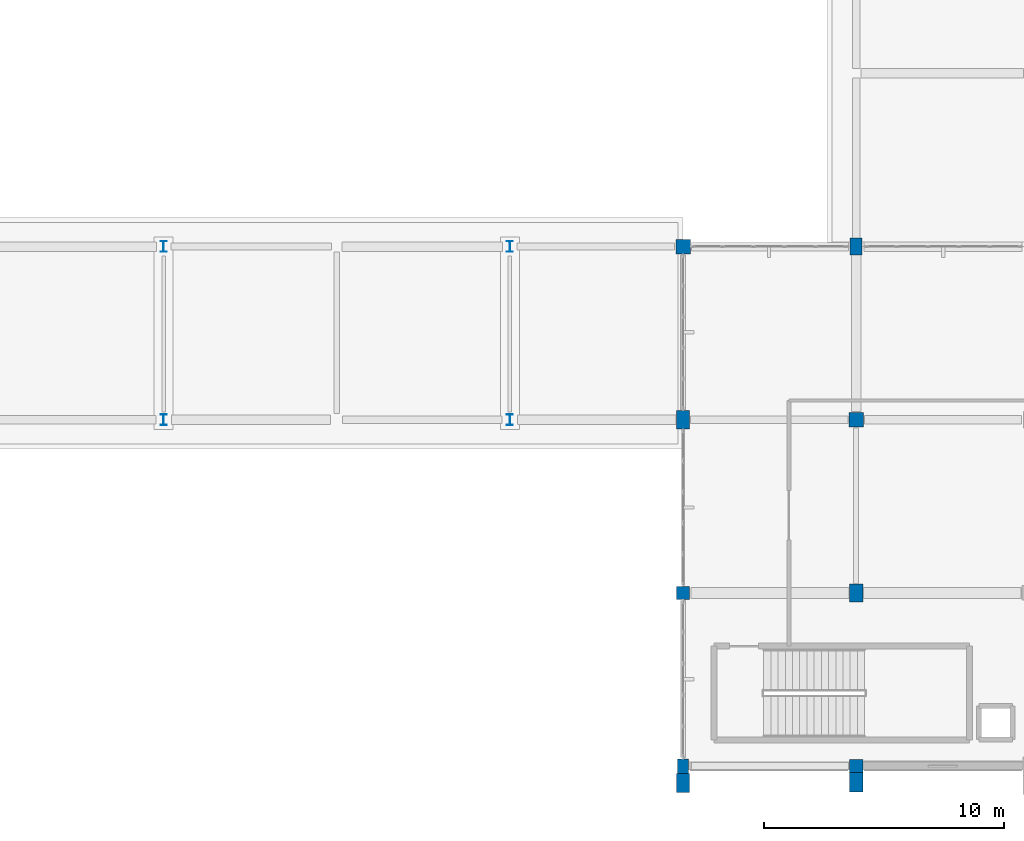
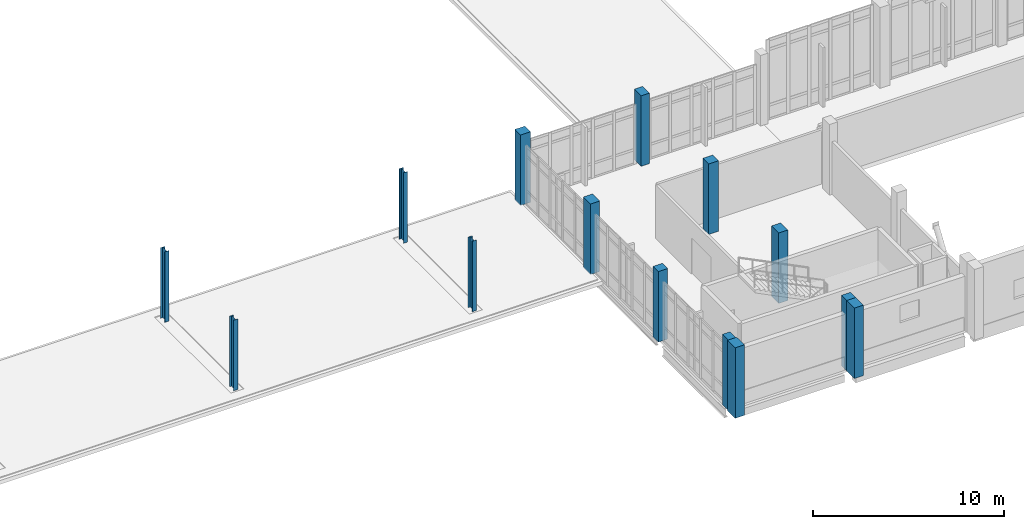
# One storey, part 5 of 134: 14 columns.
"""IFC4 building model written with IfcOpenShell, lengths in metres."""

from ifc_helpers import new_model, si_unit, direction, frame, origin, origin_2d, place, context, subcontext, project, spatial, rectangle, i_section, extrude, material, material_profile, profile_set, type_object, element, save


model = new_model("IFC4")

# Units and contexts
model_context = context("Model", 3, precision=1e-05, world=origin(), true_north=direction((0.0, 1.0)))
body_context = subcontext(model_context, "Body", "Model", "MODEL_VIEW")
ifc_project = project(units=[si_unit("LENGTHUNIT", "METRE"), si_unit("AREAUNIT", "SQUARE_METRE"), si_unit("VOLUMEUNIT", "CUBIC_METRE"), si_unit("PLANEANGLEUNIT", "RADIAN"), si_unit("MASSUNIT", "GRAM", prefix="KILO")], contexts=[model_context])

# Site, building, storey
site_placement = place(None, origin())
site = spatial("IfcSite", under=ifc_project, at=site_placement, CompositionType="ELEMENT")
building_placement = place(site_placement, origin())
building = spatial("IfcBuilding", under=site, at=building_placement, Name="Kalluvel Institute of Natural Sciences", CompositionType="ELEMENT")
storey_placement = place(building_placement, frame((0.0, 0.0, 5.39990234375)))
storey = spatial("IfcBuildingStorey", under=building, at=storey_placement, Name="L01", CompositionType="ELEMENT", Elevation=5.39990234375)

# Columns
ifc_material_1 = material(Name="Steel E350 Grade 350", Category="steel")
ifc_material_profile_1 = material_profile(ifc_material_1, i_section(OverallWidth=0.25, OverallDepth=0.449951171875, WebThickness=0.01123046875, FlangeThickness=0.013671875, FilletRadius=0.013916015625, at=origin_2d()), Name="ISHB 450")
ifc_profile_set_1 = profile_set([ifc_material_profile_1], Name="Steel E350 Grade 350")
column_type_1 = type_object("IfcColumnType", Name="COL-ISHB450", PredefinedType="COLUMN", material=ifc_profile_set_1)
for number, where, z_axis, x_axis, name in (
    (1, (78.800048828125, 28.39990234375, 0.0), (0.0, 0.0, 1.0), (1.0, 0.0, 0.0), "L01 structural column COL-L01-X788-Y284"),
    (2, (78.800048828125, 35.60009765625, 0.0), (0.0, 0.0, 1.0), (1.0, 0.0, 0.0), "L01 structural column COL-L01-X788-Y356"),
    (3, (93.199951171875, 28.39990234375, 0.0), (0.0, 0.0, 1.0), (1.0, 0.0, 0.0), "L01 structural column COL-L01-X932-Y284"),
    (4, (93.199951171875, 35.60009765625, 0.0), (0.0, 0.0, 1.0), (1.0, 0.0, 0.0), "L01 structural column COL-L01-X932-Y356"),
):
    element("IfcColumn", number, at=place(storey_placement, frame(where, z_axis=z_axis, x_axis=x_axis)), inside=storey, type_object=column_type_1, Name=name, PredefinedType="COLUMN", context=body_context, shape_type="SweptSolid", body=[
        extrude(i_section(OverallWidth=0.25, OverallDepth=0.449951171875, WebThickness=0.01123046875, FlangeThickness=0.013671875, FilletRadius=0.013916015625, at=origin_2d()), origin(), (0.0, 0.0, 1.0), 4.5),
    ])
ifc_material_2 = material(Name="Concrete M40", Category="concrete")
ifc_material_profile_2 = material_profile(ifc_material_2, rectangle(XDim=0.449951171875, YDim=0.60009765625, at=origin_2d()), Name="RC 450x600")
ifc_profile_set_2 = profile_set([ifc_material_profile_2], Name="Concrete M40")
column_type_2 = type_object("IfcColumnType", Name="COL-RC450x600", PredefinedType="COLUMN", material=ifc_profile_set_2)
column_1_placement = place(storey_placement, frame((100.39990234375, 14.0, 0.0), z_axis=(0.0, 0.0, 1.0), x_axis=(1.0, 0.0, 0.0)))
element("IfcColumn", 5, at=column_1_placement, inside=storey, type_object=column_type_2, Name="L01 structural column COL-L01-X1004-Y140", PredefinedType="COLUMN", context=body_context, shape_type="SweptSolid", body=[
    extrude(rectangle(XDim=0.449951171875, YDim=0.60009765625, at=origin_2d()), origin(), (0.0, 0.0, 1.0), 4.5),
])
ifc_material_profile_3 = material_profile(ifc_material_2, rectangle(XDim=0.5, YDim=0.699951171875, at=origin_2d()), Name="RC 500x700")
ifc_profile_set_3 = profile_set([ifc_material_profile_3], Name="Concrete M40")
column_type_3 = type_object("IfcColumnType", Name="COL-RC500x700", PredefinedType="COLUMN", material=ifc_profile_set_3)
column_2_placement = place(storey_placement, frame((107.60009765625, 35.60009765625, 0.0), z_axis=(0.0, 0.0, 1.0), x_axis=(1.0, 0.0, 0.0)))
element("IfcColumn", 6, at=column_2_placement, inside=storey, type_object=column_type_3, Name="L01 structural column COL-L01-X1076-Y356", PredefinedType="COLUMN", context=body_context, shape_type="SweptSolid", body=[
    extrude(rectangle(XDim=0.5, YDim=0.699951171875, at=origin_2d()), origin(), (0.0, 0.0, 1.0), 4.5),
])
ifc_material_profile_4 = material_profile(ifc_material_2, rectangle(XDim=0.550048828125, YDim=0.550048828125, at=origin_2d()), Name="RC 550x550")
ifc_profile_set_4 = profile_set([ifc_material_profile_4], Name="Concrete M40")
column_type_4 = type_object("IfcColumnType", Name="COL-RC550", PredefinedType="COLUMN", material=ifc_profile_set_4)
for number, where, z_axis, x_axis, name in (
    (7, (100.39990234375, 21.199951171875, 0.0), (0.0, 0.0, 1.0), (1.0, 0.0, 0.0), "L01 structural column COL-L01-X1004-Y212"),
    (8, (107.60009765625, 14.0, 0.0), (0.0, 0.0, 1.0), (1.0, 0.0, 0.0), "L01 structural column COL-L01-X1076-Y140"),
):
    element("IfcColumn", number, at=place(storey_placement, frame(where, z_axis=z_axis, x_axis=x_axis)), inside=storey, type_object=column_type_4, Name=name, PredefinedType="COLUMN", context=body_context, shape_type="SweptSolid", body=[
        extrude(rectangle(XDim=0.550048828125, YDim=0.550048828125, at=origin_2d()), origin(), (0.0, 0.0, 1.0), 4.5),
    ])
ifc_material_profile_5 = material_profile(ifc_material_2, rectangle(XDim=0.550048828125, YDim=0.75, at=origin_2d()), Name="RC 550x750")
ifc_profile_set_5 = profile_set([ifc_material_profile_5], Name="Concrete M40")
column_type_5 = type_object("IfcColumnType", Name="COL-RC550x750", PredefinedType="COLUMN", material=ifc_profile_set_5)
for number, where, z_axis, x_axis, name in (
    (9, (100.39990234375, 28.39990234375, 0.0), (0.0, 0.0, 1.0), (1.0, 0.0, 0.0), "L01 structural column COL-L01-X1004-Y284"),
    (10, (107.60009765625, 21.199951171875, 0.0), (0.0, 0.0, 1.0), (1.0, 0.0, 0.0), "L01 structural column COL-L01-X1076-Y212"),
):
    element("IfcColumn", number, at=place(storey_placement, frame(where, z_axis=z_axis, x_axis=x_axis)), inside=storey, type_object=column_type_5, Name=name, PredefinedType="COLUMN", context=body_context, shape_type="SweptSolid", body=[
        extrude(rectangle(XDim=0.550048828125, YDim=0.75, at=origin_2d()), origin(), (0.0, 0.0, 1.0), 4.5),
    ])
ifc_material_profile_6 = material_profile(ifc_material_2, rectangle(XDim=0.60009765625, YDim=0.60009765625, at=origin_2d()), Name="RC 600x600")
ifc_profile_set_6 = profile_set([ifc_material_profile_6], Name="Concrete M40")
column_type_6 = type_object("IfcColumnType", Name="COL-RC600", PredefinedType="COLUMN", material=ifc_profile_set_6)
for number, where, z_axis, x_axis, name in (
    (11, (100.39990234375, 35.60009765625, 0.0), (0.0, 0.0, 1.0), (1.0, 0.0, 0.0), "L01 structural column COL-L01-X1004-Y356"),
    (12, (107.60009765625, 28.39990234375, 0.0), (0.0, 0.0, 1.0), (1.0, 0.0, 0.0), "L01 structural column COL-L01-X1076-Y284"),
):
    element("IfcColumn", number, at=place(storey_placement, frame(where, z_axis=z_axis, x_axis=x_axis)), inside=storey, type_object=column_type_6, Name=name, PredefinedType="COLUMN", context=body_context, shape_type="SweptSolid", body=[
        extrude(rectangle(XDim=0.60009765625, YDim=0.60009765625, at=origin_2d()), origin(), (0.0, 0.0, 1.0), 4.5),
    ])
ifc_material_3 = material(Name="Sadarahalli Granite Precast Concrete M45", Category="masonry")
ifc_material_profile_7 = material_profile(ifc_material_3, rectangle(XDim=0.550048828125, YDim=0.800048828125, at=origin_2d()), Name="PIL 550x800")
ifc_profile_set_7 = profile_set([ifc_material_profile_7], Name="Sadarahalli Granite Precast Concrete M45")
column_type_7 = type_object("IfcColumnType", Name="PIL-550x800", PredefinedType="PILASTER", material=ifc_profile_set_7)
for number, where, z_axis, x_axis, name in (
    (13, (100.39990234375, 13.297119140625, 0.0), (0.0, 0.0, 1.0), (1.0, 0.0, 0.0), "L01 Lecture and Commons Gothic stone buttress 135"),
    (14, (107.60009765625, 13.322021484375, 0.0), (0.0, 0.0, 1.0), (1.0, 0.0, 0.0), "L01 Lecture and Commons Gothic stone buttress 140"),
):
    element("IfcColumn", number, at=place(storey_placement, frame(where, z_axis=z_axis, x_axis=x_axis)), inside=storey, type_object=column_type_7, Name=name, PredefinedType="PILASTER", context=body_context, shape_type="SweptSolid", body=[
        extrude(rectangle(XDim=0.550048828125, YDim=0.800048828125, at=origin_2d()), origin(), (0.0, 0.0, 1.0), 4.5),
    ])

save(model, "model.ifc")
